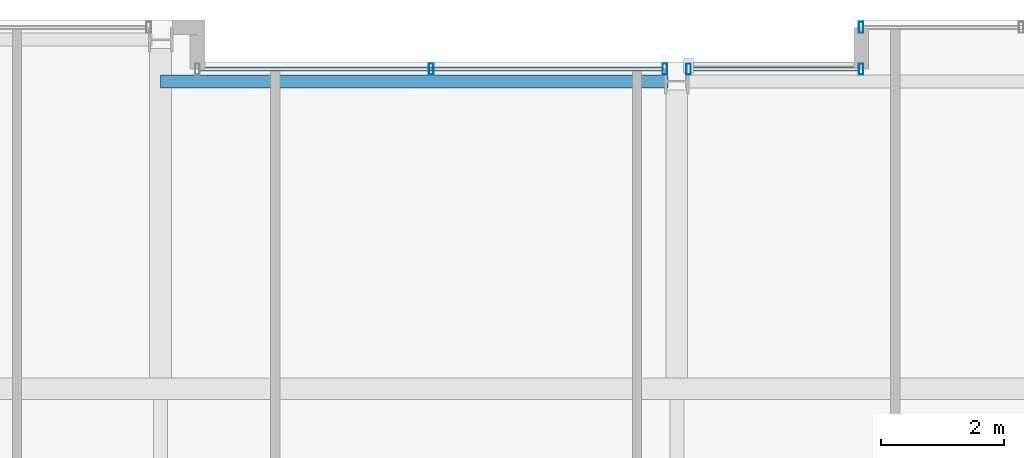
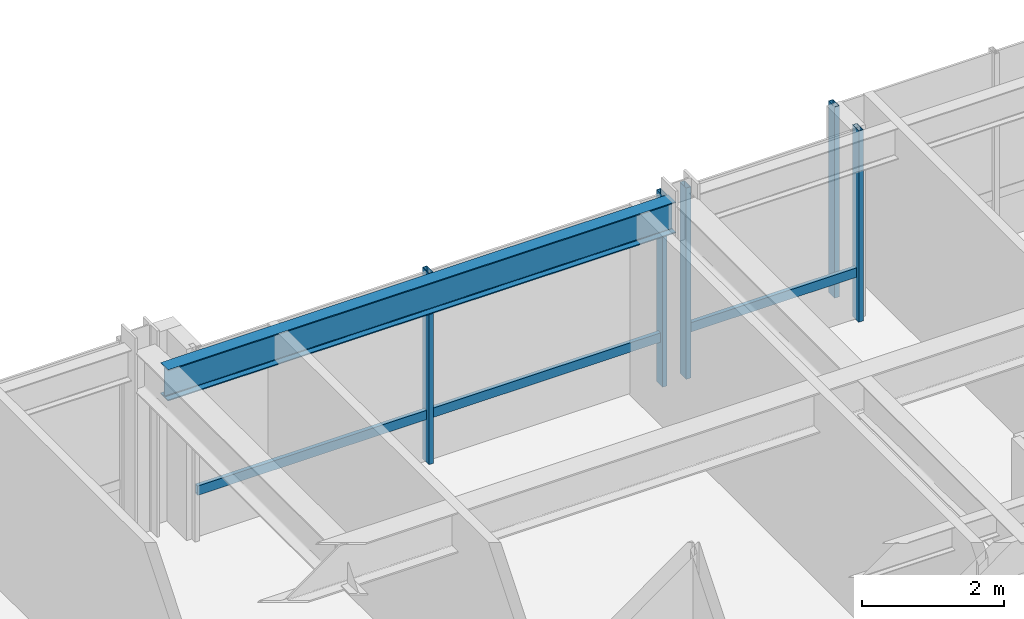
# One storey, part 20 of 32: 7 members, 1 beam, 3 elements without a shape of their own.
"""IFC4 building model written with IfcOpenShell, lengths in metres."""

from ifc_helpers import new_model, si_unit, direction, frame, origin, origin_2d, place, context, subcontext, project, spatial, hollow_rectangle, i_section, extrude, material, layer, layer_set, material_profile, profile_set, type_object, element, aggregate, save


model = new_model("IFC4")

# Units and contexts
model_context = context("Model", 3, precision=1e-05, world=origin(), true_north=direction((0.0, 1.0)))
body_context = subcontext(model_context, "Body", "Model", "MODEL_VIEW")
ifc_project = project(units=[si_unit("LENGTHUNIT", "METRE"), si_unit("AREAUNIT", "SQUARE_METRE"), si_unit("VOLUMEUNIT", "CUBIC_METRE"), si_unit("PLANEANGLEUNIT", "RADIAN"), si_unit("MASSUNIT", "GRAM", prefix="KILO")], contexts=[model_context])

# Site, building, storey
site_placement = place(None, origin())
site = spatial("IfcSite", under=ifc_project, at=site_placement, CompositionType="ELEMENT")
building_placement = place(site_placement, origin())
building = spatial("IfcBuilding", under=site, at=building_placement, Name="Drelvath Grand Hotel", CompositionType="ELEMENT")
storey_placement = place(building_placement, frame((0.0, 0.0, 189.449951171875)))
storey = spatial("IfcBuildingStorey", under=building, at=storey_placement, Name="L49", CompositionType="ELEMENT", Elevation=189.449951171875)

# Curtain wall, member
ifc_material_1 = material(Name="Brushed Pale-Silver Anodised Aluminium Frame", Category="aluminium")
ifc_layer = layer(ifc_material_1, 0.199951171875)
ifc_layer_set = layer_set([ifc_layer], Name="Brushed Pale-Silver Anodised Aluminium Frame")
curtain_wall_type = type_object("IfcCurtainWallType", Name="Stick Curtain Wall CW-04 Brushed Silver Upper-Mid", PredefinedType="NOTDEFINED", material=ifc_layer_set)
curtain_wall_1_placement = place(storey_placement, origin())
curtain_wall_1 = element("IfcCurtainWall", 1, at=curtain_wall_1_placement, inside=storey, type_object=curtain_wall_type, Name="L49 CW-04 Curtain Wall CW04-L49-NM1", PredefinedType="NOTDEFINED")
ifc_material_profile_1 = material_profile(ifc_material_1, hollow_rectangle(XDim=0.06494140625, YDim=0.159912109375, WallThickness=0.00390625, at=origin_2d()), Name="HSS160X65X4")
ifc_profile_set_1 = profile_set([ifc_material_profile_1], Name="Brushed Pale-Silver Anodised Aluminium Frame")
member_type_1 = type_object("IfcMemberType", Name="Curtain Wall Horizontal Transom CW-04 HSS160X65X4", PredefinedType="USERDEFINED", material=ifc_profile_set_1)
member_1_placement = place(storey_placement, frame((-7.760009765625, 48.39990234375, 0.822509765625), z_axis=(1.0, 0.0, 0.0), x_axis=(0.0, 1.0, 0.0)))
member_1 = element("IfcMember", 2, at=member_1_placement, type_object=member_type_1, Name="CW04-L49-NM1 Sill Transom", ObjectType="TRANSOM", PredefinedType="USERDEFINED", context=body_context, shape_type="SweptSolid", body=[
    extrude(hollow_rectangle(XDim=0.06494140625, YDim=0.159912109375, WallThickness=0.00390625, at=origin_2d()), origin(), (0.0, 0.0, 1.0), 7.5283203125),
])

curtain_wall_2_placement = place(storey_placement, origin())
curtain_wall_2 = element("IfcCurtainWall", 3, at=curtain_wall_2_placement, inside=storey, type_object=curtain_wall_type, Name="L49 CW-04 Curtain Wall CW04-L49-NM2", PredefinedType="NOTDEFINED")
member_2_placement = place(storey_placement, frame((0.231689453125, 48.39990234375, 0.822509765625), z_axis=(1.0, 0.0, 0.0), x_axis=(0.0, 1.0, 0.0)))
member_2 = element("IfcMember", 4, at=member_2_placement, type_object=member_type_1, Name="CW04-L49-NM2 Sill Transom", ObjectType="TRANSOM", PredefinedType="USERDEFINED", context=body_context, shape_type="SweptSolid", body=[
    extrude(hollow_rectangle(XDim=0.06494140625, YDim=0.159912109375, WallThickness=0.00390625, at=origin_2d()), origin(), (0.0, 0.0, 1.0), 2.728271484375),
])

# Member
ifc_material_profile_2 = material_profile(ifc_material_1, hollow_rectangle(XDim=0.074951171875, YDim=0.179931640625, WallThickness=0.0048828125, at=origin_2d()), Name="HSS180X75X5")
ifc_profile_set_2 = profile_set([ifc_material_profile_2], Name="Brushed Pale-Silver Anodised Aluminium Frame")
member_type_2 = type_object("IfcMemberType", Name="Curtain Wall Vertical Mullion CW-04 HSS180X75X5", PredefinedType="MULLION", material=ifc_profile_set_2)
member_3_placement = place(storey_placement, frame((-3.995849609375, 48.39990234375, 0.0), z_axis=(0.0, 0.0, 1.0), x_axis=(1.0, 0.0, 0.0)))
member_3 = element("IfcMember", 5, at=member_3_placement, type_object=member_type_2, Name="CW04-L49-NM1 Mullion 2", PredefinedType="MULLION", context=body_context, shape_type="SweptSolid", body=[
    extrude(hollow_rectangle(XDim=0.074951171875, YDim=0.179931640625, WallThickness=0.0048828125, at=origin_2d()), origin(), (0.0, 0.0, 1.0), 3.2900390625),
])

member_4_placement = place(storey_placement, frame((-0.191650390625, 48.39990234375, 0.0), z_axis=(0.0, 0.0, 1.0), x_axis=(1.0, 0.0, 0.0)))
member_4 = element("IfcMember", 6, at=member_4_placement, type_object=member_type_2, Name="CW04-L49-NM1 Mullion 3", PredefinedType="MULLION", context=body_context, shape_type="SweptSolid", body=[
    extrude(hollow_rectangle(XDim=0.074951171875, YDim=0.179931640625, WallThickness=0.0048828125, at=origin_2d()), origin(), (0.0, 0.0, 1.0), 3.2900390625),
])

aggregate(curtain_wall_1, [member_3, member_4, member_1])

member_5_placement = place(storey_placement, frame((0.191650390625, 48.39990234375, 0.0), z_axis=(0.0, 0.0, 1.0), x_axis=(1.0, 0.0, 0.0)))
member_5 = element("IfcMember", 7, at=member_5_placement, type_object=member_type_2, Name="CW04-L49-NM2 Mullion 1", PredefinedType="MULLION", context=body_context, shape_type="SweptSolid", body=[
    extrude(hollow_rectangle(XDim=0.074951171875, YDim=0.179931640625, WallThickness=0.0048828125, at=origin_2d()), origin(), (0.0, 0.0, 1.0), 3.2900390625),
])

member_6_placement = place(storey_placement, frame((3.0, 48.39990234375, 0.0), z_axis=(0.0, 0.0, 1.0), x_axis=(1.0, 0.0, 0.0)))
member_6 = element("IfcMember", 8, at=member_6_placement, type_object=member_type_2, Name="CW04-L49-NM2 Mullion 2", PredefinedType="MULLION", context=body_context, shape_type="SweptSolid", body=[
    extrude(hollow_rectangle(XDim=0.074951171875, YDim=0.179931640625, WallThickness=0.0048828125, at=origin_2d()), origin(), (0.0, 0.0, 1.0), 3.2900390625),
])

aggregate(curtain_wall_2, [member_5, member_6, member_2])

# Curtain wall, member
curtain_wall_3_placement = place(storey_placement, origin())
curtain_wall_3 = element("IfcCurtainWall", 9, at=curtain_wall_3_placement, inside=storey, type_object=curtain_wall_type, Name="L49 CW-04 Curtain Wall CW04-L49-NE1", PredefinedType="NOTDEFINED")
member_7_placement = place(storey_placement, frame((3.0, 49.080078125, 0.0), z_axis=(0.0, 0.0, 1.0), x_axis=(1.0, 0.0, 0.0)))
member_7 = element("IfcMember", 10, at=member_7_placement, type_object=member_type_2, Name="CW04-L49-NE1 Mullion 1", PredefinedType="MULLION", context=body_context, shape_type="SweptSolid", body=[
    extrude(hollow_rectangle(XDim=0.074951171875, YDim=0.179931640625, WallThickness=0.0048828125, at=origin_2d()), origin(), (0.0, 0.0, 1.0), 3.2900390625),
])
aggregate(curtain_wall_3, [member_7])

# Beam
ifc_material_2 = material(Name="Steel ASTM A992 Gr 50", Category="steel")
ifc_material_profile_3 = material_profile(ifc_material_2, i_section(OverallWidth=0.210205078125, OverallDepth=0.53662109375, WebThickness=0.010986328125, FlangeThickness=0.017333984375, FilletRadius=0.01806640625, at=origin_2d()), Name="W21X68")
ifc_profile_set_3 = profile_set([ifc_material_profile_3], Name="Steel ASTM A992 Gr 50")
beam_type = type_object("IfcBeamType", Name="Perimeter Spandrel Beam W21X68", PredefinedType="SPANDREL", material=ifc_profile_set_3)
beam_placement = place(storey_placement, frame((-8.39990234375, 48.199951171875, 3.021728515625), z_axis=(1.0, 0.0, 0.0), x_axis=(0.0, 1.0, 0.0)))
element("IfcBeam", 11, at=beam_placement, inside=storey, type_object=beam_type, Name="L49 Spandrel North Mid W", PredefinedType="SPANDREL", context=body_context, shape_type="SweptSolid", body=[
    extrude(i_section(OverallWidth=0.210205078125, OverallDepth=0.53662109375, WebThickness=0.010986328125, FlangeThickness=0.017333984375, FilletRadius=0.01806640625, at=origin_2d()), origin(), (0.0, 0.0, 1.0), 8.260009765625),
])

save(model, "model.ifc")
